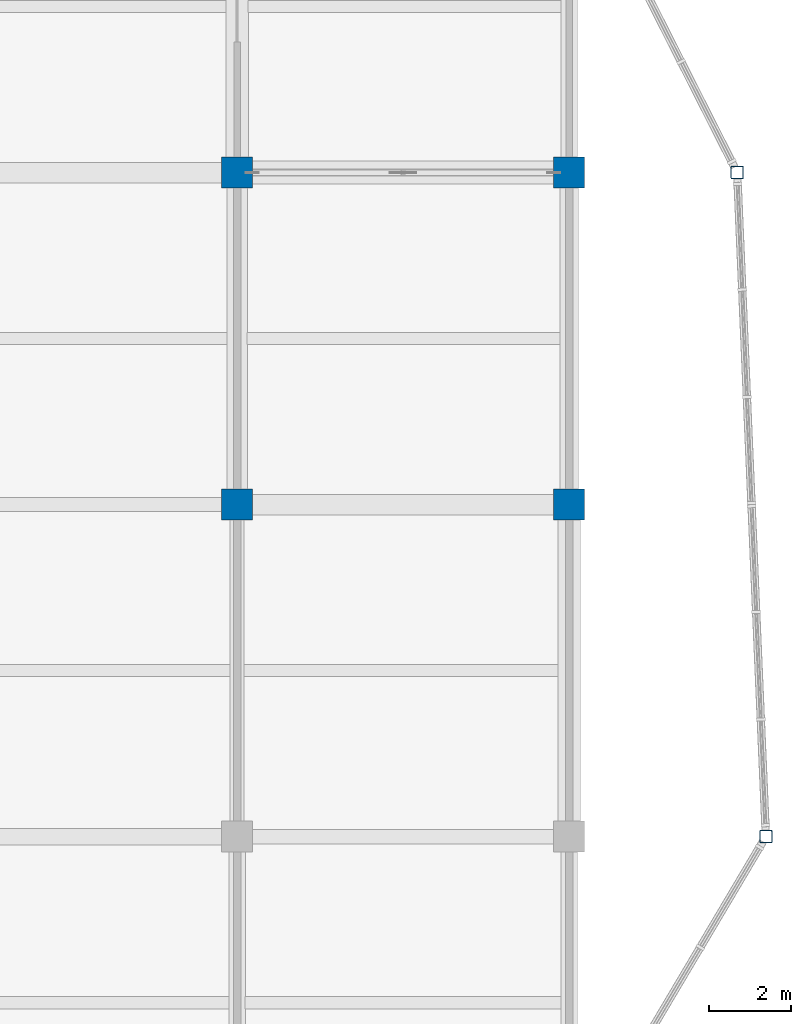
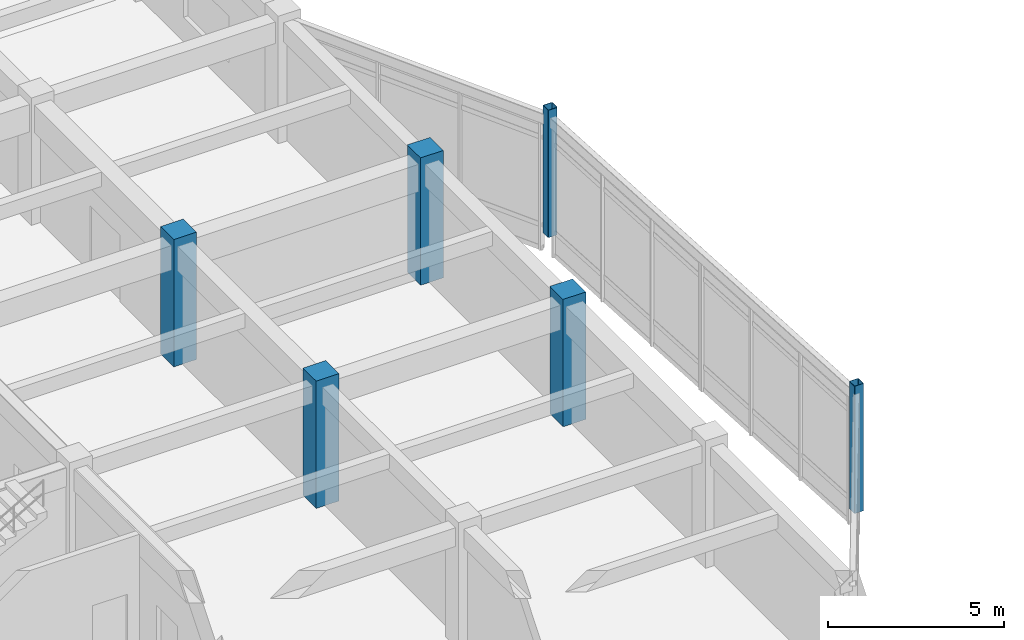
# One storey, part 12 of 89: 6 columns.
"""IFC4 building model written with IfcOpenShell, lengths in metres."""

from ifc_helpers import new_model, si_unit, direction, frame, origin, origin_2d, place, context, subcontext, project, spatial, rectangle, hollow_rectangle, extrude, material, material_profile, profile_set, type_object, element, save


model = new_model("IFC4")

# Units and contexts
model_context = context("Model", 3, precision=1e-05, world=origin(), true_north=direction((0.0, 1.0)))
body_context = subcontext(model_context, "Body", "Model", "MODEL_VIEW")
ifc_project = project(units=[si_unit("LENGTHUNIT", "METRE"), si_unit("AREAUNIT", "SQUARE_METRE"), si_unit("VOLUMEUNIT", "CUBIC_METRE"), si_unit("PLANEANGLEUNIT", "RADIAN"), si_unit("MASSUNIT", "GRAM", prefix="KILO")], contexts=[model_context])

# Site, building, storey
site_placement = place(None, origin())
site = spatial("IfcSite", under=ifc_project, at=site_placement, CompositionType="ELEMENT")
building_placement = place(site_placement, origin())
building = spatial("IfcBuilding", under=site, at=building_placement, Name="Vaudrelin Polytechnic", CompositionType="ELEMENT")
storey_placement = place(building_placement, frame((0.0, 0.0, 9.68994140625)))
storey = spatial("IfcBuildingStorey", under=building, at=storey_placement, Name="L02", CompositionType="ELEMENT", Elevation=9.68994140625)

# Columns
ifc_material_1 = material(Name="Steel CSA G40.21 350WT", Category="steel")
ifc_material_profile_1 = material_profile(ifc_material_1, hollow_rectangle(XDim=0.304931640625, YDim=0.304931640625, WallThickness=0.0126953125, InnerFilletRadius=0.0126953125, OuterFilletRadius=0.025390625, at=origin_2d()), Name="HSS305x305x12.7")
ifc_profile_set_1 = profile_set([ifc_material_profile_1], Name="Steel CSA G40.21 350WT")
column_type_1 = type_object("IfcColumnType", Name="COL-C-HSS305", PredefinedType="COLUMN", material=ifc_profile_set_1)
for number, where, z_axis, x_axis, name in (
    (1, (174.89990234375, 32.39990234375, 0.0), (0.0, 0.0, 1.0), (1.0, 0.0, 0.0), "Deconstructivist column L02 E_OR1_1"),
    (2, (174.199951171875, 48.60009765625, 0.0), (0.0, 0.0, 1.0), (1.0, 0.0, 0.0), "Deconstructivist column L02 E_OR1_2"),
):
    element("IfcColumn", number, at=place(storey_placement, frame(where, z_axis=z_axis, x_axis=x_axis)), inside=storey, type_object=column_type_1, Name=name, PredefinedType="COLUMN", context=body_context, shape_type="SweptSolid", body=[
        extrude(hollow_rectangle(XDim=0.304931640625, YDim=0.304931640625, WallThickness=0.0126953125, InnerFilletRadius=0.0126953125, OuterFilletRadius=0.025390625, at=origin_2d()), origin(), (0.0, 0.0, 1.0), 4.420166015625),
    ])
ifc_material_2 = material(Name="Concrete 50 MPa", Category="concrete")
ifc_material_profile_2 = material_profile(ifc_material_2, rectangle(XDim=0.75, YDim=0.75, at=origin_2d()), Name="RC750x750")
ifc_profile_set_2 = profile_set([ifc_material_profile_2], Name="Concrete 50 MPa")
column_type_2 = type_object("IfcColumnType", Name="COL-C-RC750", PredefinedType="COLUMN", material=ifc_profile_set_2)
for number, where, z_axis, x_axis, name in (
    (3, (162.0, 40.5, 0.0), (0.0, 0.0, 1.0), (1.0, 0.0, 0.0), "Column L02 21-6"),
    (4, (162.0, 48.60009765625, 0.0), (0.0, 0.0, 1.0), (1.0, 0.0, 0.0), "Column L02 21-7"),
    (5, (170.10009765625, 40.5, 0.0), (0.0, 0.0, 1.0), (1.0, 0.0, 0.0), "Column L02 22-6"),
    (6, (170.10009765625, 48.60009765625, 0.0), (0.0, 0.0, 1.0), (1.0, 0.0, 0.0), "Column L02 22-7"),
):
    element("IfcColumn", number, at=place(storey_placement, frame(where, z_axis=z_axis, x_axis=x_axis)), inside=storey, type_object=column_type_2, Name=name, PredefinedType="COLUMN", context=body_context, shape_type="SweptSolid", body=[
        extrude(rectangle(XDim=0.75, YDim=0.75, at=origin_2d()), origin(), (0.0, 0.0, 1.0), 4.420166015625),
    ])

save(model, "model.ifc")
